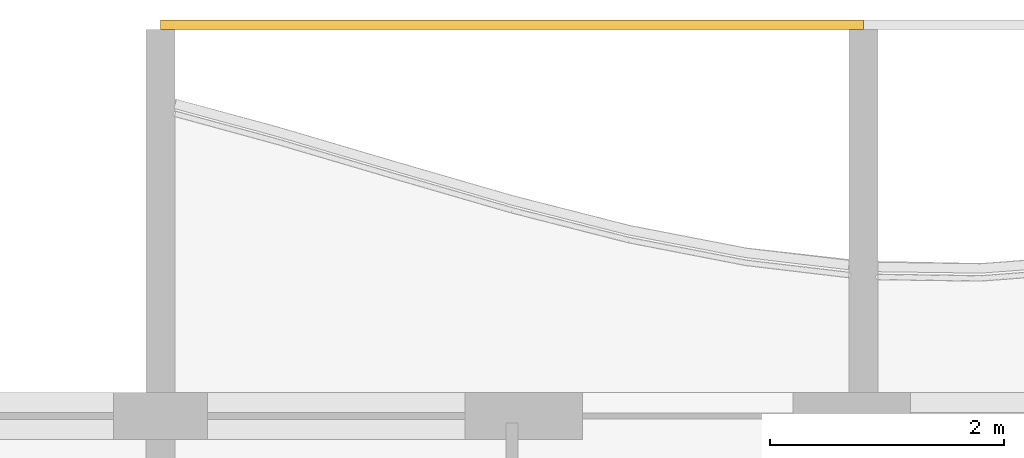
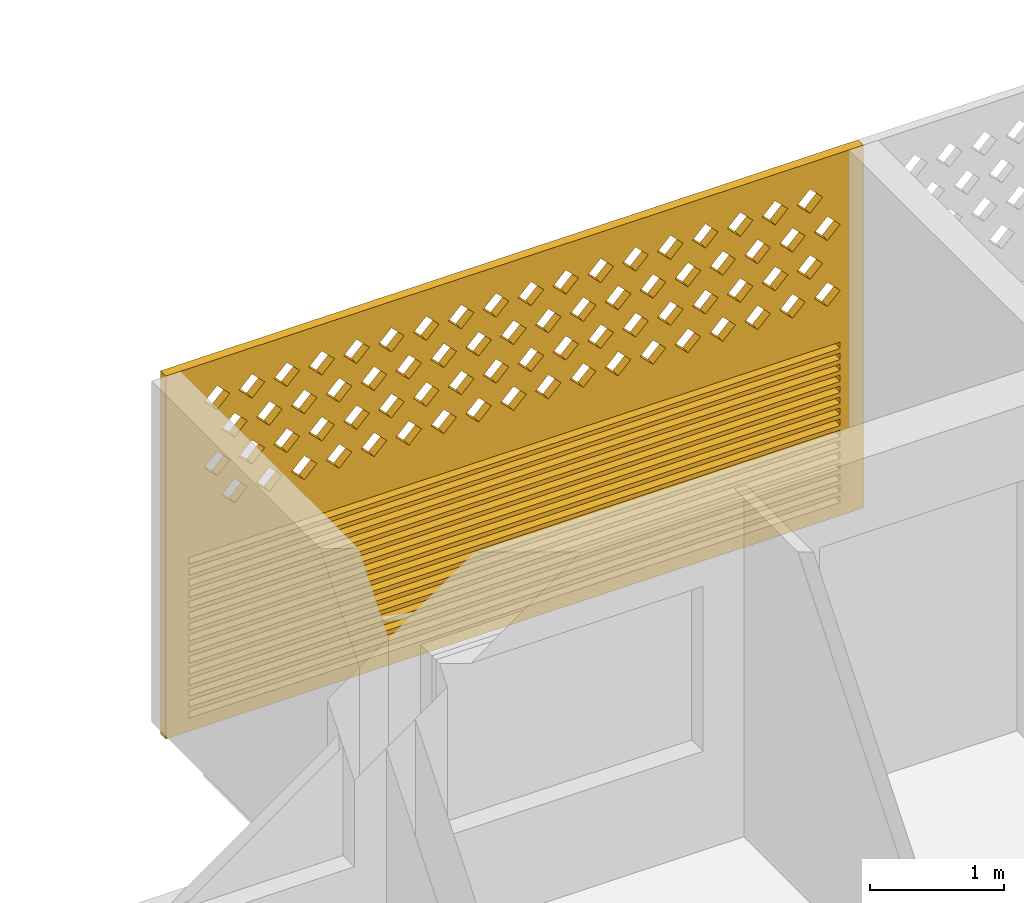
# One storey, part 20 of 26: 1 covering.
"""IFC4 building model written with IfcOpenShell, lengths in metres."""

from ifc_helpers import new_model, si_unit, direction, frame, origin, place, context, subcontext, project, spatial, polyline, outline, extrude, source, transform, mapped, material, material_profile, profile_set, type_object, element, save


model = new_model("IFC4")

# Units and contexts
model_context = context("Model", 3, precision=1e-05, world=origin(), true_north=direction((0.0, 1.0)))
body_context = subcontext(model_context, "Body", "Model", "MODEL_VIEW")
ifc_project = project(units=[si_unit("LENGTHUNIT", "METRE"), si_unit("AREAUNIT", "SQUARE_METRE"), si_unit("VOLUMEUNIT", "CUBIC_METRE"), si_unit("PLANEANGLEUNIT", "RADIAN"), si_unit("MASSUNIT", "GRAM", prefix="KILO")], contexts=[model_context])

# Site, building, storey
site_placement = place(None, origin())
site = spatial("IfcSite", under=ifc_project, at=site_placement, CompositionType="ELEMENT")
building_placement = place(site_placement, origin())
building = spatial("IfcBuilding", under=site, at=building_placement, Name="Poui Terraces", CompositionType="ELEMENT")
storey_placement = place(building_placement, frame((0.0, 0.0, 178.5)))
storey = spatial("IfcBuildingStorey", under=building, at=storey_placement, Name="L49", CompositionType="ELEMENT", Elevation=178.5)

# Covering
ifc_material = material(Name="Terracotta screen", Category="masonry")
ifc_material_profile = material_profile(ifc_material, outline(polyline([(-3.0, -1.64990234375), (3.0, -1.64990234375), (3.0, 1.64990234375), (-3.0, 1.64990234375), (-3.0, -1.64990234375)]), holes=[polyline([(-2.800048828125, 0.39990234375), (-2.68994140625, 0.2900390625), (-2.580078125, 0.39990234375), (-2.68994140625, 0.510009765625), (-2.800048828125, 0.39990234375)]), polyline([(-2.5, 0.39990234375), (-2.389892578125, 0.2900390625), (-2.280029296875, 0.39990234375), (-2.389892578125, 0.510009765625), (-2.5, 0.39990234375)]), polyline([(-2.199951171875, 0.39990234375), (-2.090087890625, 0.2900390625), (-1.97998046875, 0.39990234375), (-2.090087890625, 0.510009765625), (-2.199951171875, 0.39990234375)]), polyline([(-1.89990234375, 0.39990234375), (-1.7900390625, 0.2900390625), (-1.679931640625, 0.39990234375), (-1.7900390625, 0.510009765625), (-1.89990234375, 0.39990234375)]), polyline([(-1.60009765625, 0.39990234375), (-1.489990234375, 0.2900390625), (-1.3798828125, 0.39990234375), (-1.489990234375, 0.510009765625), (-1.60009765625, 0.39990234375)]), polyline([(-1.300048828125, 0.39990234375), (-1.18994140625, 0.2900390625), (-1.080078125, 0.39990234375), (-1.18994140625, 0.510009765625), (-1.300048828125, 0.39990234375)]), polyline([(-1.0, 0.39990234375), (-0.889892578125, 0.2900390625), (-0.780029296875, 0.39990234375), (-0.889892578125, 0.510009765625), (-1.0, 0.39990234375)]), polyline([(-0.699951171875, 0.39990234375), (-0.590087890625, 0.2900390625), (-0.47998046875, 0.39990234375), (-0.590087890625, 0.510009765625), (-0.699951171875, 0.39990234375)]), polyline([(-0.39990234375, 0.39990234375), (-0.2900390625, 0.2900390625), (-0.179931640625, 0.39990234375), (-0.2900390625, 0.510009765625), (-0.39990234375, 0.39990234375)]), polyline([(-0.10009765625, 0.39990234375), (0.010009765625, 0.2900390625), (0.1201171875, 0.39990234375), (0.010009765625, 0.510009765625), (-0.10009765625, 0.39990234375)]), polyline([(0.199951171875, 0.39990234375), (0.31005859375, 0.2900390625), (0.419921875, 0.39990234375), (0.31005859375, 0.510009765625), (0.199951171875, 0.39990234375)]), polyline([(0.5, 0.39990234375), (0.610107421875, 0.2900390625), (0.719970703125, 0.39990234375), (0.610107421875, 0.510009765625), (0.5, 0.39990234375)]), polyline([(0.800048828125, 0.39990234375), (0.909912109375, 0.2900390625), (1.02001953125, 0.39990234375), (0.909912109375, 0.510009765625), (0.800048828125, 0.39990234375)]), polyline([(1.10009765625, 0.39990234375), (1.2099609375, 0.2900390625), (1.320068359375, 0.39990234375), (1.2099609375, 0.510009765625), (1.10009765625, 0.39990234375)]), polyline([(1.39990234375, 0.39990234375), (1.510009765625, 0.2900390625), (1.6201171875, 0.39990234375), (1.510009765625, 0.510009765625), (1.39990234375, 0.39990234375)]), polyline([(1.699951171875, 0.39990234375), (1.81005859375, 0.2900390625), (1.919921875, 0.39990234375), (1.81005859375, 0.510009765625), (1.699951171875, 0.39990234375)]), polyline([(2.0, 0.39990234375), (2.110107421875, 0.2900390625), (2.219970703125, 0.39990234375), (2.110107421875, 0.510009765625), (2.0, 0.39990234375)]), polyline([(2.300048828125, 0.39990234375), (2.409912109375, 0.2900390625), (2.52001953125, 0.39990234375), (2.409912109375, 0.510009765625), (2.300048828125, 0.39990234375)]), polyline([(-2.64990234375, 0.699951171875), (-2.5400390625, 0.590087890625), (-2.429931640625, 0.699951171875), (-2.5400390625, 0.81005859375), (-2.64990234375, 0.699951171875)]), polyline([(-2.35009765625, 0.699951171875), (-2.239990234375, 0.590087890625), (-2.1298828125, 0.699951171875), (-2.239990234375, 0.81005859375), (-2.35009765625, 0.699951171875)]), polyline([(-2.050048828125, 0.699951171875), (-1.93994140625, 0.590087890625), (-1.830078125, 0.699951171875), (-1.93994140625, 0.81005859375), (-2.050048828125, 0.699951171875)]), polyline([(-1.75, 0.699951171875), (-1.639892578125, 0.590087890625), (-1.530029296875, 0.699951171875), (-1.639892578125, 0.81005859375), (-1.75, 0.699951171875)]), polyline([(-1.449951171875, 0.699951171875), (-1.340087890625, 0.590087890625), (-1.22998046875, 0.699951171875), (-1.340087890625, 0.81005859375), (-1.449951171875, 0.699951171875)]), polyline([(-1.14990234375, 0.699951171875), (-1.0400390625, 0.590087890625), (-0.929931640625, 0.699951171875), (-1.0400390625, 0.81005859375), (-1.14990234375, 0.699951171875)]), polyline([(-0.85009765625, 0.699951171875), (-0.739990234375, 0.590087890625), (-0.6298828125, 0.699951171875), (-0.739990234375, 0.81005859375), (-0.85009765625, 0.699951171875)]), polyline([(-0.550048828125, 0.699951171875), (-0.43994140625, 0.590087890625), (-0.330078125, 0.699951171875), (-0.43994140625, 0.81005859375), (-0.550048828125, 0.699951171875)]), polyline([(-0.25, 0.699951171875), (-0.139892578125, 0.590087890625), (-0.030029296875, 0.699951171875), (-0.139892578125, 0.81005859375), (-0.25, 0.699951171875)]), polyline([(0.050048828125, 0.699951171875), (0.159912109375, 0.590087890625), (0.27001953125, 0.699951171875), (0.159912109375, 0.81005859375), (0.050048828125, 0.699951171875)]), polyline([(0.35009765625, 0.699951171875), (0.4599609375, 0.590087890625), (0.570068359375, 0.699951171875), (0.4599609375, 0.81005859375), (0.35009765625, 0.699951171875)]), polyline([(0.64990234375, 0.699951171875), (0.760009765625, 0.590087890625), (0.8701171875, 0.699951171875), (0.760009765625, 0.81005859375), (0.64990234375, 0.699951171875)]), polyline([(0.949951171875, 0.699951171875), (1.06005859375, 0.590087890625), (1.169921875, 0.699951171875), (1.06005859375, 0.81005859375), (0.949951171875, 0.699951171875)]), polyline([(1.25, 0.699951171875), (1.360107421875, 0.590087890625), (1.469970703125, 0.699951171875), (1.360107421875, 0.81005859375), (1.25, 0.699951171875)]), polyline([(1.550048828125, 0.699951171875), (1.659912109375, 0.590087890625), (1.77001953125, 0.699951171875), (1.659912109375, 0.81005859375), (1.550048828125, 0.699951171875)]), polyline([(1.85009765625, 0.699951171875), (1.9599609375, 0.590087890625), (2.070068359375, 0.699951171875), (1.9599609375, 0.81005859375), (1.85009765625, 0.699951171875)]), polyline([(2.14990234375, 0.699951171875), (2.260009765625, 0.590087890625), (2.3701171875, 0.699951171875), (2.260009765625, 0.81005859375), (2.14990234375, 0.699951171875)]), polyline([(2.449951171875, 0.699951171875), (2.56005859375, 0.590087890625), (2.669921875, 0.699951171875), (2.56005859375, 0.81005859375), (2.449951171875, 0.699951171875)]), polyline([(-2.800048828125, 1.0), (-2.68994140625, 0.889892578125), (-2.580078125, 1.0), (-2.68994140625, 1.110107421875), (-2.800048828125, 1.0)]), polyline([(-2.5, 1.0), (-2.389892578125, 0.889892578125), (-2.280029296875, 1.0), (-2.389892578125, 1.110107421875), (-2.5, 1.0)]), polyline([(-2.199951171875, 1.0), (-2.090087890625, 0.889892578125), (-1.97998046875, 1.0), (-2.090087890625, 1.110107421875), (-2.199951171875, 1.0)]), polyline([(-1.89990234375, 1.0), (-1.7900390625, 0.889892578125), (-1.679931640625, 1.0), (-1.7900390625, 1.110107421875), (-1.89990234375, 1.0)]), polyline([(-1.60009765625, 1.0), (-1.489990234375, 0.889892578125), (-1.3798828125, 1.0), (-1.489990234375, 1.110107421875), (-1.60009765625, 1.0)]), polyline([(-1.300048828125, 1.0), (-1.18994140625, 0.889892578125), (-1.080078125, 1.0), (-1.18994140625, 1.110107421875), (-1.300048828125, 1.0)]), polyline([(-1.0, 1.0), (-0.889892578125, 0.889892578125), (-0.780029296875, 1.0), (-0.889892578125, 1.110107421875), (-1.0, 1.0)]), polyline([(-0.699951171875, 1.0), (-0.590087890625, 0.889892578125), (-0.47998046875, 1.0), (-0.590087890625, 1.110107421875), (-0.699951171875, 1.0)]), polyline([(-0.39990234375, 1.0), (-0.2900390625, 0.889892578125), (-0.179931640625, 1.0), (-0.2900390625, 1.110107421875), (-0.39990234375, 1.0)]), polyline([(-0.10009765625, 1.0), (0.010009765625, 0.889892578125), (0.1201171875, 1.0), (0.010009765625, 1.110107421875), (-0.10009765625, 1.0)]), polyline([(0.199951171875, 1.0), (0.31005859375, 0.889892578125), (0.419921875, 1.0), (0.31005859375, 1.110107421875), (0.199951171875, 1.0)]), polyline([(0.5, 1.0), (0.610107421875, 0.889892578125), (0.719970703125, 1.0), (0.610107421875, 1.110107421875), (0.5, 1.0)]), polyline([(0.800048828125, 1.0), (0.909912109375, 0.889892578125), (1.02001953125, 1.0), (0.909912109375, 1.110107421875), (0.800048828125, 1.0)]), polyline([(1.10009765625, 1.0), (1.2099609375, 0.889892578125), (1.320068359375, 1.0), (1.2099609375, 1.110107421875), (1.10009765625, 1.0)]), polyline([(1.39990234375, 1.0), (1.510009765625, 0.889892578125), (1.6201171875, 1.0), (1.510009765625, 1.110107421875), (1.39990234375, 1.0)]), polyline([(1.699951171875, 1.0), (1.81005859375, 0.889892578125), (1.919921875, 1.0), (1.81005859375, 1.110107421875), (1.699951171875, 1.0)]), polyline([(2.0, 1.0), (2.110107421875, 0.889892578125), (2.219970703125, 1.0), (2.110107421875, 1.110107421875), (2.0, 1.0)]), polyline([(2.300048828125, 1.0), (2.409912109375, 0.889892578125), (2.52001953125, 1.0), (2.409912109375, 1.110107421875), (2.300048828125, 1.0)]), polyline([(-2.64990234375, 1.300048828125), (-2.5400390625, 1.18994140625), (-2.429931640625, 1.300048828125), (-2.5400390625, 1.409912109375), (-2.64990234375, 1.300048828125)]), polyline([(-2.35009765625, 1.300048828125), (-2.239990234375, 1.18994140625), (-2.1298828125, 1.300048828125), (-2.239990234375, 1.409912109375), (-2.35009765625, 1.300048828125)]), polyline([(-2.050048828125, 1.300048828125), (-1.93994140625, 1.18994140625), (-1.830078125, 1.300048828125), (-1.93994140625, 1.409912109375), (-2.050048828125, 1.300048828125)]), polyline([(-1.75, 1.300048828125), (-1.639892578125, 1.18994140625), (-1.530029296875, 1.300048828125), (-1.639892578125, 1.409912109375), (-1.75, 1.300048828125)]), polyline([(-1.449951171875, 1.300048828125), (-1.340087890625, 1.18994140625), (-1.22998046875, 1.300048828125), (-1.340087890625, 1.409912109375), (-1.449951171875, 1.300048828125)]), polyline([(-1.14990234375, 1.300048828125), (-1.0400390625, 1.18994140625), (-0.929931640625, 1.300048828125), (-1.0400390625, 1.409912109375), (-1.14990234375, 1.300048828125)]), polyline([(-0.85009765625, 1.300048828125), (-0.739990234375, 1.18994140625), (-0.6298828125, 1.300048828125), (-0.739990234375, 1.409912109375), (-0.85009765625, 1.300048828125)]), polyline([(-0.550048828125, 1.300048828125), (-0.43994140625, 1.18994140625), (-0.330078125, 1.300048828125), (-0.43994140625, 1.409912109375), (-0.550048828125, 1.300048828125)]), polyline([(-0.25, 1.300048828125), (-0.139892578125, 1.18994140625), (-0.030029296875, 1.300048828125), (-0.139892578125, 1.409912109375), (-0.25, 1.300048828125)]), polyline([(0.050048828125, 1.300048828125), (0.159912109375, 1.18994140625), (0.27001953125, 1.300048828125), (0.159912109375, 1.409912109375), (0.050048828125, 1.300048828125)]), polyline([(0.35009765625, 1.300048828125), (0.4599609375, 1.18994140625), (0.570068359375, 1.300048828125), (0.4599609375, 1.409912109375), (0.35009765625, 1.300048828125)]), polyline([(0.64990234375, 1.300048828125), (0.760009765625, 1.18994140625), (0.8701171875, 1.300048828125), (0.760009765625, 1.409912109375), (0.64990234375, 1.300048828125)]), polyline([(0.949951171875, 1.300048828125), (1.06005859375, 1.18994140625), (1.169921875, 1.300048828125), (1.06005859375, 1.409912109375), (0.949951171875, 1.300048828125)]), polyline([(1.25, 1.300048828125), (1.360107421875, 1.18994140625), (1.469970703125, 1.300048828125), (1.360107421875, 1.409912109375), (1.25, 1.300048828125)]), polyline([(1.550048828125, 1.300048828125), (1.659912109375, 1.18994140625), (1.77001953125, 1.300048828125), (1.659912109375, 1.409912109375), (1.550048828125, 1.300048828125)]), polyline([(1.85009765625, 1.300048828125), (1.9599609375, 1.18994140625), (2.070068359375, 1.300048828125), (1.9599609375, 1.409912109375), (1.85009765625, 1.300048828125)]), polyline([(2.14990234375, 1.300048828125), (2.260009765625, 1.18994140625), (2.3701171875, 1.300048828125), (2.260009765625, 1.409912109375), (2.14990234375, 1.300048828125)]), polyline([(2.449951171875, 1.300048828125), (2.56005859375, 1.18994140625), (2.669921875, 1.300048828125), (2.56005859375, 1.409912109375), (2.449951171875, 1.300048828125)]), polyline([(-2.800048828125, -1.530029296875), (2.800048828125, -1.530029296875), (2.800048828125, -1.469970703125), (-2.800048828125, -1.469970703125), (-2.800048828125, -1.530029296875)]), polyline([(-2.800048828125, -1.429931640625), (2.800048828125, -1.429931640625), (2.800048828125, -1.3701171875), (-2.800048828125, -1.3701171875), (-2.800048828125, -1.429931640625)]), polyline([(-2.800048828125, -1.330078125), (2.800048828125, -1.330078125), (2.800048828125, -1.27001953125), (-2.800048828125, -1.27001953125), (-2.800048828125, -1.330078125)]), polyline([(-2.800048828125, -1.22998046875), (2.800048828125, -1.22998046875), (2.800048828125, -1.169921875), (-2.800048828125, -1.169921875), (-2.800048828125, -1.22998046875)]), polyline([(-2.800048828125, -1.1298828125), (2.800048828125, -1.1298828125), (2.800048828125, -1.070068359375), (-2.800048828125, -1.070068359375), (-2.800048828125, -1.1298828125)]), polyline([(-2.800048828125, -1.030029296875), (2.800048828125, -1.030029296875), (2.800048828125, -0.969970703125), (-2.800048828125, -0.969970703125), (-2.800048828125, -1.030029296875)]), polyline([(-2.800048828125, -0.929931640625), (2.800048828125, -0.929931640625), (2.800048828125, -0.8701171875), (-2.800048828125, -0.8701171875), (-2.800048828125, -0.929931640625)]), polyline([(-2.800048828125, -0.830078125), (2.800048828125, -0.830078125), (2.800048828125, -0.77001953125), (-2.800048828125, -0.77001953125), (-2.800048828125, -0.830078125)]), polyline([(-2.800048828125, -0.72998046875), (2.800048828125, -0.72998046875), (2.800048828125, -0.669921875), (-2.800048828125, -0.669921875), (-2.800048828125, -0.72998046875)]), polyline([(-2.800048828125, -0.6298828125), (2.800048828125, -0.6298828125), (2.800048828125, -0.570068359375), (-2.800048828125, -0.570068359375), (-2.800048828125, -0.6298828125)]), polyline([(-2.800048828125, -0.530029296875), (2.800048828125, -0.530029296875), (2.800048828125, -0.469970703125), (-2.800048828125, -0.469970703125), (-2.800048828125, -0.530029296875)]), polyline([(-2.800048828125, -0.429931640625), (2.800048828125, -0.429931640625), (2.800048828125, -0.3701171875), (-2.800048828125, -0.3701171875), (-2.800048828125, -0.429931640625)]), polyline([(-2.800048828125, -0.330078125), (2.800048828125, -0.330078125), (2.800048828125, -0.27001953125), (-2.800048828125, -0.27001953125), (-2.800048828125, -0.330078125)]), polyline([(-2.800048828125, -0.22998046875), (2.800048828125, -0.22998046875), (2.800048828125, -0.169921875), (-2.800048828125, -0.169921875), (-2.800048828125, -0.22998046875)]), polyline([(-2.800048828125, -0.1298828125), (2.800048828125, -0.1298828125), (2.800048828125, -0.070068359375), (-2.800048828125, -0.070068359375), (-2.800048828125, -0.1298828125)])]), Name="TERRACOTTA SCREEN AND JALOUSIE LOUVRE 6000X3300")
ifc_profile_set = profile_set([ifc_material_profile], Name="Terracotta screen")
covering_type = type_object("IfcCoveringType", Name="TERRACOTTA SCREEN AND JALOUSIE LOUVRE 6000X3300", PredefinedType="CLADDING", material=ifc_profile_set)
shared_shape = source(origin(), body_context, "Body", "SweptSolid", [
    extrude(outline(polyline([(-3.0, -1.64990234375), (3.0, -1.64990234375), (3.0, 1.64990234375), (-3.0, 1.64990234375), (-3.0, -1.64990234375)]), holes=[polyline([(-2.800048828125, 0.39990234375), (-2.68994140625, 0.2900390625), (-2.580078125, 0.39990234375), (-2.68994140625, 0.510009765625), (-2.800048828125, 0.39990234375)]), polyline([(-2.5, 0.39990234375), (-2.389892578125, 0.2900390625), (-2.280029296875, 0.39990234375), (-2.389892578125, 0.510009765625), (-2.5, 0.39990234375)]), polyline([(-2.199951171875, 0.39990234375), (-2.090087890625, 0.2900390625), (-1.97998046875, 0.39990234375), (-2.090087890625, 0.510009765625), (-2.199951171875, 0.39990234375)]), polyline([(-1.89990234375, 0.39990234375), (-1.7900390625, 0.2900390625), (-1.679931640625, 0.39990234375), (-1.7900390625, 0.510009765625), (-1.89990234375, 0.39990234375)]), polyline([(-1.60009765625, 0.39990234375), (-1.489990234375, 0.2900390625), (-1.3798828125, 0.39990234375), (-1.489990234375, 0.510009765625), (-1.60009765625, 0.39990234375)]), polyline([(-1.300048828125, 0.39990234375), (-1.18994140625, 0.2900390625), (-1.080078125, 0.39990234375), (-1.18994140625, 0.510009765625), (-1.300048828125, 0.39990234375)]), polyline([(-1.0, 0.39990234375), (-0.889892578125, 0.2900390625), (-0.780029296875, 0.39990234375), (-0.889892578125, 0.510009765625), (-1.0, 0.39990234375)]), polyline([(-0.699951171875, 0.39990234375), (-0.590087890625, 0.2900390625), (-0.47998046875, 0.39990234375), (-0.590087890625, 0.510009765625), (-0.699951171875, 0.39990234375)]), polyline([(-0.39990234375, 0.39990234375), (-0.2900390625, 0.2900390625), (-0.179931640625, 0.39990234375), (-0.2900390625, 0.510009765625), (-0.39990234375, 0.39990234375)]), polyline([(-0.10009765625, 0.39990234375), (0.010009765625, 0.2900390625), (0.1201171875, 0.39990234375), (0.010009765625, 0.510009765625), (-0.10009765625, 0.39990234375)]), polyline([(0.199951171875, 0.39990234375), (0.31005859375, 0.2900390625), (0.419921875, 0.39990234375), (0.31005859375, 0.510009765625), (0.199951171875, 0.39990234375)]), polyline([(0.5, 0.39990234375), (0.610107421875, 0.2900390625), (0.719970703125, 0.39990234375), (0.610107421875, 0.510009765625), (0.5, 0.39990234375)]), polyline([(0.800048828125, 0.39990234375), (0.909912109375, 0.2900390625), (1.02001953125, 0.39990234375), (0.909912109375, 0.510009765625), (0.800048828125, 0.39990234375)]), polyline([(1.10009765625, 0.39990234375), (1.2099609375, 0.2900390625), (1.320068359375, 0.39990234375), (1.2099609375, 0.510009765625), (1.10009765625, 0.39990234375)]), polyline([(1.39990234375, 0.39990234375), (1.510009765625, 0.2900390625), (1.6201171875, 0.39990234375), (1.510009765625, 0.510009765625), (1.39990234375, 0.39990234375)]), polyline([(1.699951171875, 0.39990234375), (1.81005859375, 0.2900390625), (1.919921875, 0.39990234375), (1.81005859375, 0.510009765625), (1.699951171875, 0.39990234375)]), polyline([(2.0, 0.39990234375), (2.110107421875, 0.2900390625), (2.219970703125, 0.39990234375), (2.110107421875, 0.510009765625), (2.0, 0.39990234375)]), polyline([(2.300048828125, 0.39990234375), (2.409912109375, 0.2900390625), (2.52001953125, 0.39990234375), (2.409912109375, 0.510009765625), (2.300048828125, 0.39990234375)]), polyline([(-2.64990234375, 0.699951171875), (-2.5400390625, 0.590087890625), (-2.429931640625, 0.699951171875), (-2.5400390625, 0.81005859375), (-2.64990234375, 0.699951171875)]), polyline([(-2.35009765625, 0.699951171875), (-2.239990234375, 0.590087890625), (-2.1298828125, 0.699951171875), (-2.239990234375, 0.81005859375), (-2.35009765625, 0.699951171875)]), polyline([(-2.050048828125, 0.699951171875), (-1.93994140625, 0.590087890625), (-1.830078125, 0.699951171875), (-1.93994140625, 0.81005859375), (-2.050048828125, 0.699951171875)]), polyline([(-1.75, 0.699951171875), (-1.639892578125, 0.590087890625), (-1.530029296875, 0.699951171875), (-1.639892578125, 0.81005859375), (-1.75, 0.699951171875)]), polyline([(-1.449951171875, 0.699951171875), (-1.340087890625, 0.590087890625), (-1.22998046875, 0.699951171875), (-1.340087890625, 0.81005859375), (-1.449951171875, 0.699951171875)]), polyline([(-1.14990234375, 0.699951171875), (-1.0400390625, 0.590087890625), (-0.929931640625, 0.699951171875), (-1.0400390625, 0.81005859375), (-1.14990234375, 0.699951171875)]), polyline([(-0.85009765625, 0.699951171875), (-0.739990234375, 0.590087890625), (-0.6298828125, 0.699951171875), (-0.739990234375, 0.81005859375), (-0.85009765625, 0.699951171875)]), polyline([(-0.550048828125, 0.699951171875), (-0.43994140625, 0.590087890625), (-0.330078125, 0.699951171875), (-0.43994140625, 0.81005859375), (-0.550048828125, 0.699951171875)]), polyline([(-0.25, 0.699951171875), (-0.139892578125, 0.590087890625), (-0.030029296875, 0.699951171875), (-0.139892578125, 0.81005859375), (-0.25, 0.699951171875)]), polyline([(0.050048828125, 0.699951171875), (0.159912109375, 0.590087890625), (0.27001953125, 0.699951171875), (0.159912109375, 0.81005859375), (0.050048828125, 0.699951171875)]), polyline([(0.35009765625, 0.699951171875), (0.4599609375, 0.590087890625), (0.570068359375, 0.699951171875), (0.4599609375, 0.81005859375), (0.35009765625, 0.699951171875)]), polyline([(0.64990234375, 0.699951171875), (0.760009765625, 0.590087890625), (0.8701171875, 0.699951171875), (0.760009765625, 0.81005859375), (0.64990234375, 0.699951171875)]), polyline([(0.949951171875, 0.699951171875), (1.06005859375, 0.590087890625), (1.169921875, 0.699951171875), (1.06005859375, 0.81005859375), (0.949951171875, 0.699951171875)]), polyline([(1.25, 0.699951171875), (1.360107421875, 0.590087890625), (1.469970703125, 0.699951171875), (1.360107421875, 0.81005859375), (1.25, 0.699951171875)]), polyline([(1.550048828125, 0.699951171875), (1.659912109375, 0.590087890625), (1.77001953125, 0.699951171875), (1.659912109375, 0.81005859375), (1.550048828125, 0.699951171875)]), polyline([(1.85009765625, 0.699951171875), (1.9599609375, 0.590087890625), (2.070068359375, 0.699951171875), (1.9599609375, 0.81005859375), (1.85009765625, 0.699951171875)]), polyline([(2.14990234375, 0.699951171875), (2.260009765625, 0.590087890625), (2.3701171875, 0.699951171875), (2.260009765625, 0.81005859375), (2.14990234375, 0.699951171875)]), polyline([(2.449951171875, 0.699951171875), (2.56005859375, 0.590087890625), (2.669921875, 0.699951171875), (2.56005859375, 0.81005859375), (2.449951171875, 0.699951171875)]), polyline([(-2.800048828125, 1.0), (-2.68994140625, 0.889892578125), (-2.580078125, 1.0), (-2.68994140625, 1.110107421875), (-2.800048828125, 1.0)]), polyline([(-2.5, 1.0), (-2.389892578125, 0.889892578125), (-2.280029296875, 1.0), (-2.389892578125, 1.110107421875), (-2.5, 1.0)]), polyline([(-2.199951171875, 1.0), (-2.090087890625, 0.889892578125), (-1.97998046875, 1.0), (-2.090087890625, 1.110107421875), (-2.199951171875, 1.0)]), polyline([(-1.89990234375, 1.0), (-1.7900390625, 0.889892578125), (-1.679931640625, 1.0), (-1.7900390625, 1.110107421875), (-1.89990234375, 1.0)]), polyline([(-1.60009765625, 1.0), (-1.489990234375, 0.889892578125), (-1.3798828125, 1.0), (-1.489990234375, 1.110107421875), (-1.60009765625, 1.0)]), polyline([(-1.300048828125, 1.0), (-1.18994140625, 0.889892578125), (-1.080078125, 1.0), (-1.18994140625, 1.110107421875), (-1.300048828125, 1.0)]), polyline([(-1.0, 1.0), (-0.889892578125, 0.889892578125), (-0.780029296875, 1.0), (-0.889892578125, 1.110107421875), (-1.0, 1.0)]), polyline([(-0.699951171875, 1.0), (-0.590087890625, 0.889892578125), (-0.47998046875, 1.0), (-0.590087890625, 1.110107421875), (-0.699951171875, 1.0)]), polyline([(-0.39990234375, 1.0), (-0.2900390625, 0.889892578125), (-0.179931640625, 1.0), (-0.2900390625, 1.110107421875), (-0.39990234375, 1.0)]), polyline([(-0.10009765625, 1.0), (0.010009765625, 0.889892578125), (0.1201171875, 1.0), (0.010009765625, 1.110107421875), (-0.10009765625, 1.0)]), polyline([(0.199951171875, 1.0), (0.31005859375, 0.889892578125), (0.419921875, 1.0), (0.31005859375, 1.110107421875), (0.199951171875, 1.0)]), polyline([(0.5, 1.0), (0.610107421875, 0.889892578125), (0.719970703125, 1.0), (0.610107421875, 1.110107421875), (0.5, 1.0)]), polyline([(0.800048828125, 1.0), (0.909912109375, 0.889892578125), (1.02001953125, 1.0), (0.909912109375, 1.110107421875), (0.800048828125, 1.0)]), polyline([(1.10009765625, 1.0), (1.2099609375, 0.889892578125), (1.320068359375, 1.0), (1.2099609375, 1.110107421875), (1.10009765625, 1.0)]), polyline([(1.39990234375, 1.0), (1.510009765625, 0.889892578125), (1.6201171875, 1.0), (1.510009765625, 1.110107421875), (1.39990234375, 1.0)]), polyline([(1.699951171875, 1.0), (1.81005859375, 0.889892578125), (1.919921875, 1.0), (1.81005859375, 1.110107421875), (1.699951171875, 1.0)]), polyline([(2.0, 1.0), (2.110107421875, 0.889892578125), (2.219970703125, 1.0), (2.110107421875, 1.110107421875), (2.0, 1.0)]), polyline([(2.300048828125, 1.0), (2.409912109375, 0.889892578125), (2.52001953125, 1.0), (2.409912109375, 1.110107421875), (2.300048828125, 1.0)]), polyline([(-2.64990234375, 1.300048828125), (-2.5400390625, 1.18994140625), (-2.429931640625, 1.300048828125), (-2.5400390625, 1.409912109375), (-2.64990234375, 1.300048828125)]), polyline([(-2.35009765625, 1.300048828125), (-2.239990234375, 1.18994140625), (-2.1298828125, 1.300048828125), (-2.239990234375, 1.409912109375), (-2.35009765625, 1.300048828125)]), polyline([(-2.050048828125, 1.300048828125), (-1.93994140625, 1.18994140625), (-1.830078125, 1.300048828125), (-1.93994140625, 1.409912109375), (-2.050048828125, 1.300048828125)]), polyline([(-1.75, 1.300048828125), (-1.639892578125, 1.18994140625), (-1.530029296875, 1.300048828125), (-1.639892578125, 1.409912109375), (-1.75, 1.300048828125)]), polyline([(-1.449951171875, 1.300048828125), (-1.340087890625, 1.18994140625), (-1.22998046875, 1.300048828125), (-1.340087890625, 1.409912109375), (-1.449951171875, 1.300048828125)]), polyline([(-1.14990234375, 1.300048828125), (-1.0400390625, 1.18994140625), (-0.929931640625, 1.300048828125), (-1.0400390625, 1.409912109375), (-1.14990234375, 1.300048828125)]), polyline([(-0.85009765625, 1.300048828125), (-0.739990234375, 1.18994140625), (-0.6298828125, 1.300048828125), (-0.739990234375, 1.409912109375), (-0.85009765625, 1.300048828125)]), polyline([(-0.550048828125, 1.300048828125), (-0.43994140625, 1.18994140625), (-0.330078125, 1.300048828125), (-0.43994140625, 1.409912109375), (-0.550048828125, 1.300048828125)]), polyline([(-0.25, 1.300048828125), (-0.139892578125, 1.18994140625), (-0.030029296875, 1.300048828125), (-0.139892578125, 1.409912109375), (-0.25, 1.300048828125)]), polyline([(0.050048828125, 1.300048828125), (0.159912109375, 1.18994140625), (0.27001953125, 1.300048828125), (0.159912109375, 1.409912109375), (0.050048828125, 1.300048828125)]), polyline([(0.35009765625, 1.300048828125), (0.4599609375, 1.18994140625), (0.570068359375, 1.300048828125), (0.4599609375, 1.409912109375), (0.35009765625, 1.300048828125)]), polyline([(0.64990234375, 1.300048828125), (0.760009765625, 1.18994140625), (0.8701171875, 1.300048828125), (0.760009765625, 1.409912109375), (0.64990234375, 1.300048828125)]), polyline([(0.949951171875, 1.300048828125), (1.06005859375, 1.18994140625), (1.169921875, 1.300048828125), (1.06005859375, 1.409912109375), (0.949951171875, 1.300048828125)]), polyline([(1.25, 1.300048828125), (1.360107421875, 1.18994140625), (1.469970703125, 1.300048828125), (1.360107421875, 1.409912109375), (1.25, 1.300048828125)]), polyline([(1.550048828125, 1.300048828125), (1.659912109375, 1.18994140625), (1.77001953125, 1.300048828125), (1.659912109375, 1.409912109375), (1.550048828125, 1.300048828125)]), polyline([(1.85009765625, 1.300048828125), (1.9599609375, 1.18994140625), (2.070068359375, 1.300048828125), (1.9599609375, 1.409912109375), (1.85009765625, 1.300048828125)]), polyline([(2.14990234375, 1.300048828125), (2.260009765625, 1.18994140625), (2.3701171875, 1.300048828125), (2.260009765625, 1.409912109375), (2.14990234375, 1.300048828125)]), polyline([(2.449951171875, 1.300048828125), (2.56005859375, 1.18994140625), (2.669921875, 1.300048828125), (2.56005859375, 1.409912109375), (2.449951171875, 1.300048828125)]), polyline([(-2.800048828125, -1.530029296875), (2.800048828125, -1.530029296875), (2.800048828125, -1.469970703125), (-2.800048828125, -1.469970703125), (-2.800048828125, -1.530029296875)]), polyline([(-2.800048828125, -1.429931640625), (2.800048828125, -1.429931640625), (2.800048828125, -1.3701171875), (-2.800048828125, -1.3701171875), (-2.800048828125, -1.429931640625)]), polyline([(-2.800048828125, -1.330078125), (2.800048828125, -1.330078125), (2.800048828125, -1.27001953125), (-2.800048828125, -1.27001953125), (-2.800048828125, -1.330078125)]), polyline([(-2.800048828125, -1.22998046875), (2.800048828125, -1.22998046875), (2.800048828125, -1.169921875), (-2.800048828125, -1.169921875), (-2.800048828125, -1.22998046875)]), polyline([(-2.800048828125, -1.1298828125), (2.800048828125, -1.1298828125), (2.800048828125, -1.070068359375), (-2.800048828125, -1.070068359375), (-2.800048828125, -1.1298828125)]), polyline([(-2.800048828125, -1.030029296875), (2.800048828125, -1.030029296875), (2.800048828125, -0.969970703125), (-2.800048828125, -0.969970703125), (-2.800048828125, -1.030029296875)]), polyline([(-2.800048828125, -0.929931640625), (2.800048828125, -0.929931640625), (2.800048828125, -0.8701171875), (-2.800048828125, -0.8701171875), (-2.800048828125, -0.929931640625)]), polyline([(-2.800048828125, -0.830078125), (2.800048828125, -0.830078125), (2.800048828125, -0.77001953125), (-2.800048828125, -0.77001953125), (-2.800048828125, -0.830078125)]), polyline([(-2.800048828125, -0.72998046875), (2.800048828125, -0.72998046875), (2.800048828125, -0.669921875), (-2.800048828125, -0.669921875), (-2.800048828125, -0.72998046875)]), polyline([(-2.800048828125, -0.6298828125), (2.800048828125, -0.6298828125), (2.800048828125, -0.570068359375), (-2.800048828125, -0.570068359375), (-2.800048828125, -0.6298828125)]), polyline([(-2.800048828125, -0.530029296875), (2.800048828125, -0.530029296875), (2.800048828125, -0.469970703125), (-2.800048828125, -0.469970703125), (-2.800048828125, -0.530029296875)]), polyline([(-2.800048828125, -0.429931640625), (2.800048828125, -0.429931640625), (2.800048828125, -0.3701171875), (-2.800048828125, -0.3701171875), (-2.800048828125, -0.429931640625)]), polyline([(-2.800048828125, -0.330078125), (2.800048828125, -0.330078125), (2.800048828125, -0.27001953125), (-2.800048828125, -0.27001953125), (-2.800048828125, -0.330078125)]), polyline([(-2.800048828125, -0.22998046875), (2.800048828125, -0.22998046875), (2.800048828125, -0.169921875), (-2.800048828125, -0.169921875), (-2.800048828125, -0.22998046875)]), polyline([(-2.800048828125, -0.1298828125), (2.800048828125, -0.1298828125), (2.800048828125, -0.070068359375), (-2.800048828125, -0.070068359375), (-2.800048828125, -0.1298828125)])]), origin(), (0.0, 0.0, 1.0), 0.080078125),
])
covering_placement = place(storey_placement, frame((51.0, 44.5, 1.449951171875), z_axis=(0.0, 1.0, 0.0), x_axis=(-1.0, 0.0, 0.0)))
element("IfcCovering", 1, at=covering_placement, inside=storey, type_object=covering_type, Name="SOLAR SCREEN AND JALOUSIE LOUVRE", PredefinedType="CLADDING", context=body_context, shape_type="MappedRepresentation", body=[
    mapped(shared_shape, transform((0.0, 0.0, 0.0))),
])

save(model, "model.ifc")
